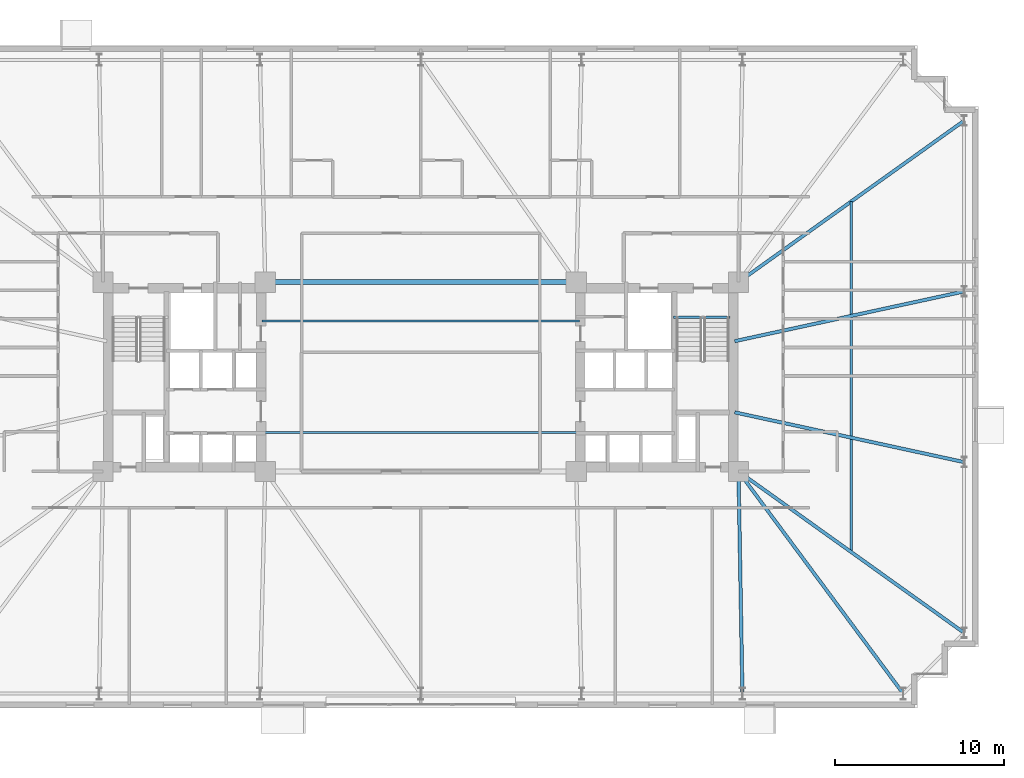
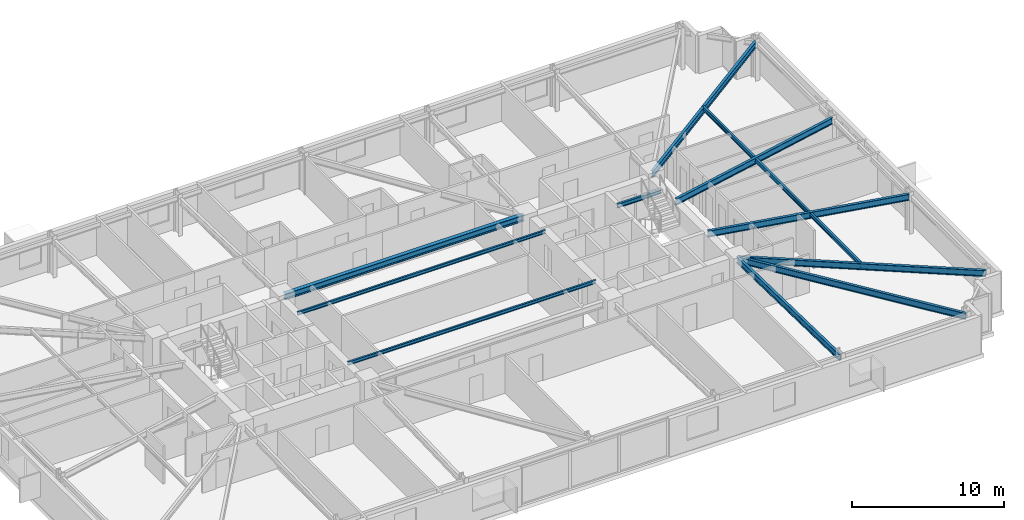
# One storey, part 11 of 24: 11 beams.
"""IFC4 building model written with IfcOpenShell, lengths in metres."""

import ifcopenshell
import ifcopenshell.guid

model = None  # the IFC model being written
_history = None  # IfcOwnerHistory: only IFC2X3 demands one
_inside = {}  # id of a spatial element -> (the spatial element, [elements in it])
_under = {}  # id of a project, library or spatial element -> (it, [spatial elements below it])
_declared = {}  # id of a project -> (the project, [libraries it declares])
_typed = {}  # id of a type object -> (the type object, [elements of that type])
_made_of = {}  # id of a material, layer set ... -> (it, [elements and type objects made of it])


def new_model(schema):
    """Start an empty IFC model of exactly this schema.

    Asked for "IFC4X3", IfcOpenShell would pick the latest addendum, in which some entities
    have other attributes; the version numbers below select the first issue.
    IFC2X3 requires an IfcOwnerHistory on every rooted entity: one is made here for all.
    """
    global model, _history
    if schema == "IFC4X3":
        model = ifcopenshell.file(schema_version=(4, 3, 0, 0))
    else:
        model = ifcopenshell.file(schema=schema)
    _inside.clear()
    _under.clear()
    _declared.clear()
    _typed.clear()
    _made_of.clear()
    _history = None
    if model.schema == "IFC2X3":
        org = make("IfcOrganization", Name="unknown")
        user = make(
            "IfcPersonAndOrganization",
            ThePerson=make("IfcPerson", FamilyName="unknown"),
            TheOrganization=org,
        )
        app = make(
            "IfcApplication",
            ApplicationDeveloper=org,
            Version="unknown",
            ApplicationFullName="unknown",
            ApplicationIdentifier="unknown",
        )
        _history = make(
            "IfcOwnerHistory",
            OwningUser=user,
            OwningApplication=app,
            ChangeAction="ADDED",
            CreationDate=0,
        )
    return model


def make(cls, **values):
    """One entity of the class cls with the attributes given. An attribute that is None is left unset."""
    return model.create_entity(
        cls, **{name: value for name, value in values.items() if value is not None}
    )


def rooted(cls, **values):
    """An entity with a GlobalId (a new one), such as an element, a storey or a relation."""
    return make(cls, GlobalId=ifcopenshell.guid.new(), OwnerHistory=_history, **values)


def si_unit(unit_type, name, prefix=None):
    """IfcSIUnit, for example si_unit("LENGTHUNIT", "METRE", prefix="MILLI")."""
    return make("IfcSIUnit", UnitType=unit_type, Prefix=prefix, Name=name)


def assignment(units):
    """IfcUnitAssignment: the units of a project."""
    return None if units is None else make("IfcUnitAssignment", Units=units)


def point(xyz):
    """IfcCartesianPoint."""
    return None if xyz is None else make("IfcCartesianPoint", Coordinates=xyz)


def direction(xyz):
    """IfcDirection."""
    return None if xyz is None else make("IfcDirection", DirectionRatios=xyz)


def frame(location, z_axis=None, x_axis=None):
    """IfcAxis2Placement3D, a coordinate frame: its origin and axes. An axis left out is left unset."""
    return make(
        "IfcAxis2Placement3D",
        Location=point(location),
        Axis=direction(z_axis),
        RefDirection=direction(x_axis),
    )


def frame_2d(location, x_axis=None):
    """IfcAxis2Placement2D, a coordinate frame in the plane: its origin and x axis."""
    return make(
        "IfcAxis2Placement2D", Location=point(location), RefDirection=direction(x_axis)
    )


def origin():
    """The frame at (0, 0, 0) with its axes left unset."""
    return frame((0.0, 0.0, 0.0))


def origin_2d():
    """The frame at (0, 0) in the plane with its x axis left unset."""
    return frame_2d((0.0, 0.0))


def place(relative_to, where):
    """IfcLocalPlacement: puts the frame where relative to a parent placement (None: the world)."""
    return make(
        "IfcLocalPlacement", PlacementRelTo=relative_to, RelativePlacement=where
    )


def context(
    kind, dimensions, precision=None, world=None, true_north=None, identifier=None
):
    """IfcGeometricRepresentationContext, for example the 3D "Model" context."""
    return make(
        "IfcGeometricRepresentationContext",
        ContextIdentifier=identifier,
        ContextType=kind,
        CoordinateSpaceDimension=dimensions,
        Precision=precision,
        WorldCoordinateSystem=world,
        TrueNorth=true_north,
    )


def subcontext(parent, identifier, kind, view, scale=None):
    """IfcGeometricRepresentationSubContext, for example "Body" below "Model"."""
    return make(
        "IfcGeometricRepresentationSubContext",
        ContextIdentifier=identifier,
        ContextType=kind,
        ParentContext=parent,
        TargetScale=scale,
        TargetView=view,
    )


def project(units=None, contexts=None):
    """IfcProject with its units and contexts."""
    return rooted(
        "IfcProject",
        Name="project",
        RepresentationContexts=contexts,
        UnitsInContext=assignment(units),
    )


def spatial(cls, under=None, at=None, **own):
    """A site, building, storey or space (cls), placed at a placement, below another one or the project."""
    s = rooted(cls, ObjectPlacement=at, **own)
    if under is not None:
        _under.setdefault(under.id(), (under, []))[1].append(s)
    return s


def profile(cls, at=None, kind="AREA", **sizes):
    """A parametric profile (cls). Its sizes go by their IFC names, for example OverallWidth=200.0."""
    return make(cls, ProfileType=kind, Position=at, **sizes)


def i_section(**sizes):
    """IfcIShapeProfileDef."""
    return profile("IfcIShapeProfileDef", **sizes)


def extrude(swept, where, along, depth):
    """IfcExtrudedAreaSolid: the profile swept, set in the frame where, extruded along a direction by depth."""
    return make(
        "IfcExtrudedAreaSolid",
        SweptArea=swept,
        Position=where,
        ExtrudedDirection=direction(along),
        Depth=depth,
    )


def shape(context_of_items, identifier, shape_type, items):
    """IfcShapeRepresentation: the items that make up one representation, for example the "Body"."""
    return make(
        "IfcShapeRepresentation",
        ContextOfItems=context_of_items,
        RepresentationIdentifier=identifier,
        RepresentationType=shape_type,
        Items=items,
    )


def material(Name=None, Category=None):
    """IfcMaterial."""
    return make("IfcMaterial", Name=Name, Category=Category)


def material_profile(
    of_material, cross_section, Name=None, Category=None, Priority=None
):
    """IfcMaterialProfile: a cross section and its material."""
    return make(
        "IfcMaterialProfile",
        Name=Name,
        Material=of_material,
        Profile=cross_section,
        Priority=Priority,
        Category=Category,
    )


def profile_set(profiles, Name=None, composite=None):
    """IfcMaterialProfileSet."""
    return make(
        "IfcMaterialProfileSet",
        Name=Name,
        MaterialProfiles=profiles,
        CompositeProfile=composite,
    )


def made_of(thing, what):
    """Note that an element or type object is made of a material, layer set ...; save() writes the relation."""
    if what is not None:
        _made_of.setdefault(what.id(), (what, []))[1].append(thing)
    return thing


def type_object(cls, material=None, **own):
    """A type object (cls), such as IfcWallType, which elements share."""
    return made_of(rooted(cls, **own), material)


def element(
    cls,
    number,
    at=None,
    inside=None,
    cuts=None,
    type_object=None,
    material=None,
    context=None,
    identifier="Body",
    shape_type=None,
    held_by="IfcProductDefinitionShape",
    body=None,
    shapes=None,
    **own,
):
    """One element of the class cls, such as IfcWall. Its Tag is "e" and its number.

    at: its placement. inside: the storey or other place that contains it. cuts: it is an
    opening in that element (IfcRelVoidsElement). A single representation is given by context,
    identifier, shape_type and body (its items); several are given by shapes. held_by: the class
    of the entity that holds the representations. save() writes the other relations.
    """
    e = rooted(cls, Tag="e%d" % number, ObjectPlacement=at, **own)
    if body is not None:
        shapes = [shape(context, identifier, shape_type, body)]
    if shapes is not None:
        e.Representation = make(held_by, Representations=shapes)
    if inside is not None:
        _inside.setdefault(inside.id(), (inside, []))[1].append(e)
    if cuts is not None:
        rooted(
            "IfcRelVoidsElement", RelatingBuildingElement=cuts, RelatedOpeningElement=e
        )
    if type_object is not None:
        _typed.setdefault(type_object.id(), (type_object, []))[1].append(e)
    return made_of(e, material)


def aggregate(whole, parts):
    """IfcRelAggregates: a whole, such as a stair, and the parts it consists of."""
    return rooted("IfcRelAggregates", RelatingObject=whole, RelatedObjects=parts)


def save(model, path):
    """Write the relations noted so far, then the file.

    IfcRelAggregates (storeys below a building ...), IfcRelContainedInSpatialStructure (elements
    in a storey), IfcRelDefinesByType, IfcRelAssociatesMaterial and IfcRelDeclares: one each for
    every whole, place, type object, material and project.
    """
    for whole, parts in _under.values():
        aggregate(whole, parts)
    for where, things in _inside.values():
        rooted(
            "IfcRelContainedInSpatialStructure",
            RelatedElements=things,
            RelatingStructure=where,
        )
    for kind, things in _typed.values():
        rooted("IfcRelDefinesByType", RelatedObjects=things, RelatingType=kind)
    for what, things in _made_of.values():
        rooted("IfcRelAssociatesMaterial", RelatedObjects=things, RelatingMaterial=what)
    for by, libraries in _declared.values():
        rooted("IfcRelDeclares", RelatingContext=by, RelatedDefinitions=libraries)
    model.write(path)


model = new_model("IFC4")

# Units and contexts
model_context = context("Model", 3, precision=1e-05, world=origin(), true_north=direction((0.0, 1.0)))
body_context = subcontext(model_context, "Body", "Model", "MODEL_VIEW")
ifc_project = project(units=[si_unit("LENGTHUNIT", "METRE"), si_unit("AREAUNIT", "SQUARE_METRE"), si_unit("VOLUMEUNIT", "CUBIC_METRE"), si_unit("PLANEANGLEUNIT", "RADIAN"), si_unit("MASSUNIT", "GRAM", prefix="KILO")], contexts=[model_context])

# Site, building, storey
site_placement = place(None, origin())
site = spatial("IfcSite", under=ifc_project, at=site_placement, CompositionType="ELEMENT")
building_placement = place(site_placement, origin())
building = spatial("IfcBuilding", under=site, at=building_placement, Name="Qobustan Lattice House", CompositionType="ELEMENT")
storey_placement = place(building_placement, frame((0.0, 0.0, 50.449951171875)))
storey = spatial("IfcBuildingStorey", under=building, at=storey_placement, Name="L13", CompositionType="ELEMENT", Elevation=50.449951171875)

# Beams
ifc_material_1 = material(Name="Steel S355", Category="steel")
ifc_material_profile_1 = material_profile(ifc_material_1, i_section(OverallWidth=0.300048828125, OverallDepth=0.5, WebThickness=0.014404296875, FlangeThickness=0.028076171875, FilletRadius=0.027099609375, at=origin_2d()), Name="HEB500")
ifc_profile_set_1 = profile_set([ifc_material_profile_1], Name="Steel S355")
beam_type_1 = type_object("IfcBeamType", Name="BM-CG-HEB500", PredefinedType="USERDEFINED", material=ifc_profile_set_1)
beam_1_placement = place(storey_placement, frame((-9.050048828125, 5.60009765625, 2.78515625), z_axis=(1.0, 0.0, 0.0), x_axis=(0.0, 1.0, 0.0)))
element("IfcBeam", 1, at=beam_1_placement, inside=storey, type_object=beam_type_1, Name="L13 core spine girder CG-CN", ObjectType="GIRDER", PredefinedType="USERDEFINED", context=body_context, shape_type="SweptSolid", body=[
    extrude(i_section(OverallWidth=0.300048828125, OverallDepth=0.5, WebThickness=0.014404296875, FlangeThickness=0.028076171875, FilletRadius=0.027099609375, at=origin_2d()), origin(), (0.0, 0.0, 1.0), 18.10009765625),
])
ifc_material_2 = material(Name="Steel S355", Category="steel")
ifc_material_profile_2 = material_profile(ifc_material_2, i_section(OverallWidth=0.199951171875, OverallDepth=0.5, WebThickness=0.01025390625, FlangeThickness=0.01611328125, FilletRadius=0.02099609375, at=origin_2d()), Name="IPE500")
ifc_profile_set_2 = profile_set([ifc_material_profile_2], Name="Steel S355")
beam_type_2 = type_object("IfcBeamType", Name="BM-FLG-IPE500", PredefinedType="USERDEFINED", material=ifc_profile_set_2)
beam_2_placement = place(storey_placement, frame((19.032958984375, -18.72509765625, 2.78515625), z_axis=(-0.017757831607, 0.999842317276, 0.0), x_axis=(-0.999842317276, -0.017757831607, 0.0)))
element("IfcBeam", 2, at=beam_2_placement, inside=storey, type_object=beam_type_2, Name="L13 primary floor girder RAD-S6", ObjectType="GIRDER", PredefinedType="USERDEFINED", context=body_context, shape_type="SweptSolid", body=[
    extrude(i_section(OverallWidth=0.199951171875, OverallDepth=0.5, WebThickness=0.01025390625, FlangeThickness=0.01611328125, FilletRadius=0.02099609375, at=origin_2d()), origin(), (0.0, 0.0, 1.0), 13.10205078125),
])
beam_3_placement = place(storey_placement, frame((28.53515625, -18.72998046875, 2.78515625), z_axis=(-0.5955916815, 0.803287338956, 0.0), x_axis=(-0.803287338956, -0.5955916815, 0.0)))
element("IfcBeam", 3, at=beam_3_placement, inside=storey, type_object=beam_type_2, Name="L13 primary floor girder RAD-S7E", ObjectType="GIRDER", PredefinedType="USERDEFINED", context=body_context, shape_type="SweptSolid", body=[
    extrude(i_section(OverallWidth=0.199951171875, OverallDepth=0.5, WebThickness=0.01025390625, FlangeThickness=0.01611328125, FilletRadius=0.02099609375, at=origin_2d()), origin(), (0.0, 0.0, 1.0), 16.3203125),
])
beam_4_placement = place(storey_placement, frame((32.129638671875, 15.135498046875, 2.78515625), z_axis=(-0.813318954893, -0.581818079481, 0.0), x_axis=(0.581818079481, -0.813318954893, 0.0)))
element("IfcBeam", 4, at=beam_4_placement, inside=storey, type_object=beam_type_2, Name="L13 primary floor girder RAD-E4", ObjectType="GIRDER", PredefinedType="USERDEFINED", context=body_context, shape_type="SweptSolid", body=[
    extrude(i_section(OverallWidth=0.199951171875, OverallDepth=0.5, WebThickness=0.01025390625, FlangeThickness=0.01611328125, FilletRadius=0.02099609375, at=origin_2d()), origin(), (0.0, 0.0, 1.0), 16.3642578125),
])
for number, where, z_axis, x_axis, name in (
    (5, (32.12548828125, 5.044677734375, 2.78515625), (-0.97727240275, -0.211987383643, 0.0), (0.211987383643, -0.97727240275, 0.0), "L13 primary floor girder RAD-E3"),
    (6, (32.12548828125, -5.044677734375, 2.78515625), (-0.97727240275, 0.211987383643, 0.0), (-0.211987383643, -0.97727240275, 0.0), "L13 primary floor girder RAD-E2"),
):
    element("IfcBeam", number, at=place(storey_placement, frame(where, z_axis=z_axis, x_axis=x_axis)), inside=storey, type_object=beam_type_2, Name=name, ObjectType="GIRDER", PredefinedType="USERDEFINED", context=body_context, shape_type="SweptSolid", body=[
        extrude(i_section(OverallWidth=0.199951171875, OverallDepth=0.5, WebThickness=0.01025390625, FlangeThickness=0.01611328125, FilletRadius=0.02099609375, at=origin_2d()), origin(), (0.0, 0.0, 1.0), 13.8662109375),
    ])
beam_5_placement = place(storey_placement, frame((32.129638671875, -15.135498046875, 2.78515625), z_axis=(-0.813318954893, 0.581818079481, 0.0), x_axis=(-0.581818079481, -0.813318954893, 0.0)))
element("IfcBeam", 7, at=beam_5_placement, inside=storey, type_object=beam_type_2, Name="L13 primary floor girder RAD-E1", ObjectType="GIRDER", PredefinedType="USERDEFINED", context=body_context, shape_type="SweptSolid", body=[
    extrude(i_section(OverallWidth=0.199951171875, OverallDepth=0.5, WebThickness=0.01025390625, FlangeThickness=0.01611328125, FilletRadius=0.02099609375, at=origin_2d()), origin(), (0.0, 0.0, 1.0), 16.3642578125),
])
ifc_material_3 = material(Name="Steel S355", Category="steel")
ifc_material_profile_3 = material_profile(ifc_material_3, i_section(OverallWidth=0.135009765625, OverallDepth=0.27001953125, WebThickness=0.006591796875, FlangeThickness=0.01025390625, FilletRadius=0.014892578125, at=origin_2d()), Name="IPE270")
ifc_profile_set_3 = profile_set([ifc_material_profile_3], Name="Steel S355")
beam_type_3 = type_object("IfcBeamType", Name="BM-JST-IPE270", PredefinedType="JOIST", material=ifc_profile_set_3)
for number, where, z_axis, x_axis, name in (
    (8, (-9.39990234375, -3.300048828125, 2.900146484375), (1.0, 0.0, 0.0), (0.0, 1.0, 0.0), "L13 central span floor joist 1"),
    (9, (-9.39990234375, 3.300048828125, 2.900146484375), (1.0, 0.0, 0.0), (0.0, 1.0, 0.0), "L13 central span floor joist 2"),
):
    element("IfcBeam", number, at=place(storey_placement, frame(where, z_axis=z_axis, x_axis=x_axis)), inside=storey, type_object=beam_type_3, Name=name, PredefinedType="JOIST", context=body_context, shape_type="SweptSolid", body=[
        extrude(i_section(OverallWidth=0.135009765625, OverallDepth=0.27001953125, WebThickness=0.006591796875, FlangeThickness=0.01025390625, FilletRadius=0.014892578125, at=origin_2d()), origin(), (0.0, 0.0, 1.0), 18.7998046875),
    ])
ifc_material_4 = material(Name="Steel S355", Category="steel")
ifc_material_profile_4 = material_profile(ifc_material_4, i_section(OverallWidth=0.159912109375, OverallDepth=0.330078125, WebThickness=0.007568359375, FlangeThickness=0.011474609375, FilletRadius=0.01806640625, at=origin_2d()), Name="IPE330")
ifc_profile_set_4 = profile_set([ifc_material_profile_4], Name="Steel S355")
beam_type_4 = type_object("IfcBeamType", Name="BM-SEC-IPE330", PredefinedType="BEAM", material=ifc_profile_set_4)
beam_6_placement = place(storey_placement, frame((25.47509765625, 10.375, 2.8701171875), z_axis=(0.0, -1.0, 0.0), x_axis=(1.0, 0.0, 0.0)))
element("IfcBeam", 10, at=beam_6_placement, inside=storey, type_object=beam_type_4, Name="L13 east wing secondary beam", PredefinedType="BEAM", context=body_context, shape_type="SweptSolid", body=[
    extrude(i_section(OverallWidth=0.159912109375, OverallDepth=0.330078125, WebThickness=0.007568359375, FlangeThickness=0.011474609375, FilletRadius=0.01806640625, at=origin_2d()), origin(), (0.0, 0.0, 1.0), 20.75),
])
ifc_material_5 = material(Name="Steel S355", Category="steel")
ifc_material_profile_5 = material_profile(ifc_material_5, i_section(OverallWidth=0.159912109375, OverallDepth=0.330078125, WebThickness=0.007568359375, FlangeThickness=0.011474609375, FilletRadius=0.01806640625, at=origin_2d()), Name="IPE330")
ifc_profile_set_5 = profile_set([ifc_material_profile_5], Name="Steel S355")
beam_type_5 = type_object("IfcBeamType", Name="BM-SPD-IPE330", PredefinedType="SPANDREL", material=ifc_profile_set_5)
beam_7_placement = place(storey_placement, frame((14.949951171875, 3.52001953125, 2.8701171875), z_axis=(1.0, 0.0, 0.0), x_axis=(0.0, 1.0, 0.0)))
element("IfcBeam", 11, at=beam_7_placement, inside=storey, type_object=beam_type_5, Name="L13 east stair landing trimmer beam", PredefinedType="SPANDREL", context=body_context, shape_type="SweptSolid", body=[
    extrude(i_section(OverallWidth=0.159912109375, OverallDepth=0.330078125, WebThickness=0.007568359375, FlangeThickness=0.011474609375, FilletRadius=0.01806640625, at=origin_2d()), origin(), (0.0, 0.0, 1.0), 3.35009765625),
])

save(model, "model.ifc")
